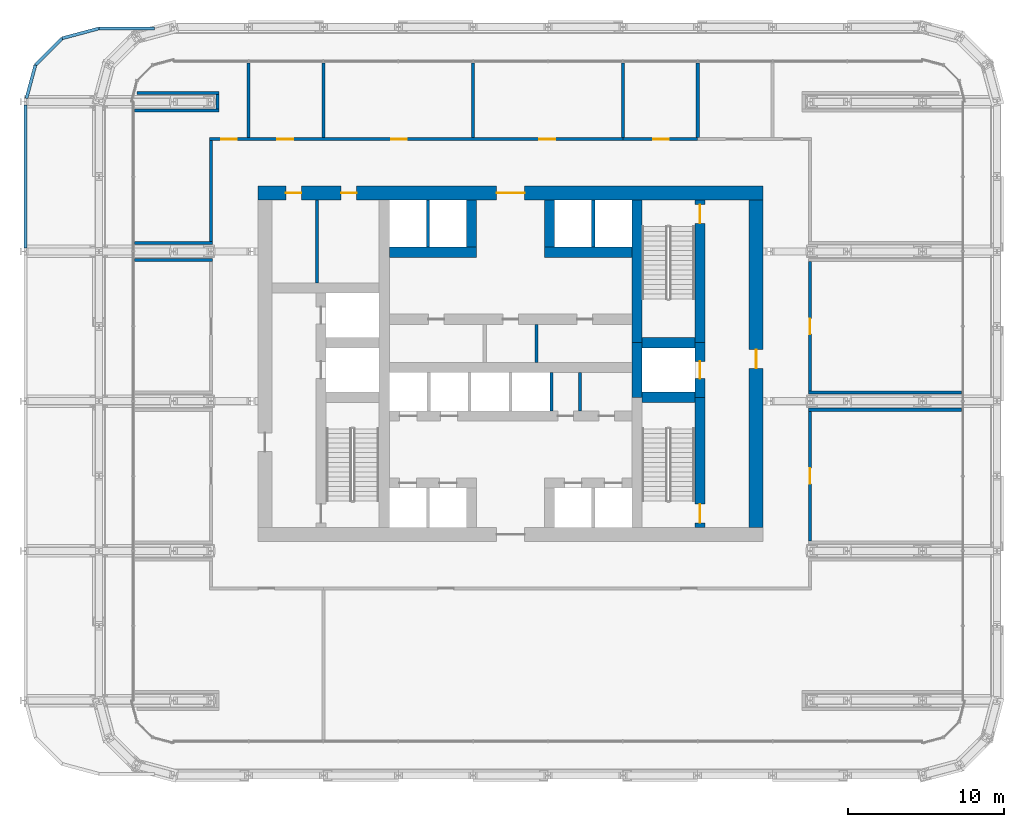
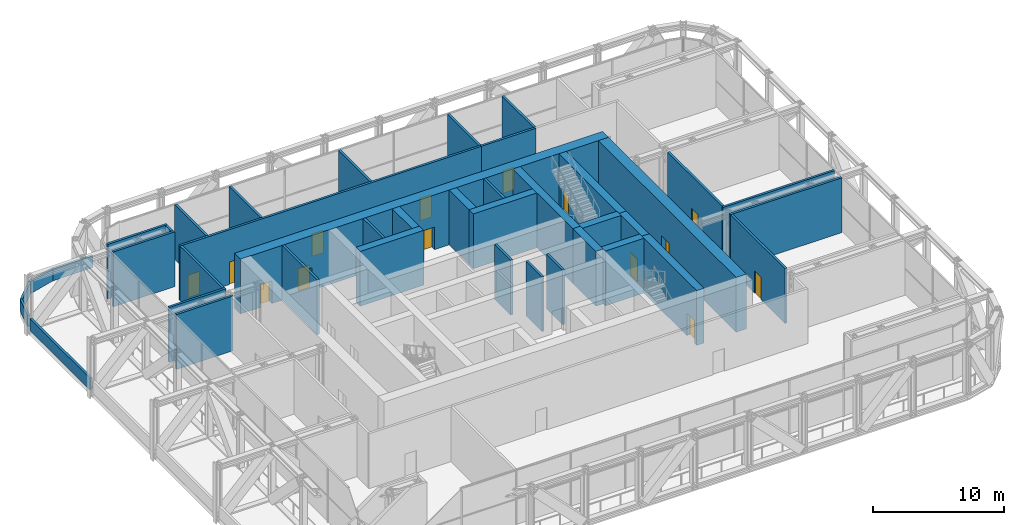
# One storey, part 21 of 30: 41 walls, 14 doors, 14 openings.
"""IFC4 building model written with IfcOpenShell, lengths in metres."""

from ifc_helpers import new_model, si_unit, direction, frame, frame_2d, origin, place, context, subcontext, project, spatial, rectangle, extrude, material, layer, layer_set, type_object, element, fill, save


model = new_model("IFC4")

# Units and contexts
model_context = context("Model", 3, precision=1e-05, world=origin(), true_north=direction((0.0, 1.0)))
body_context = subcontext(model_context, "Body", "Model", "MODEL_VIEW")
ifc_project = project(units=[si_unit("LENGTHUNIT", "METRE"), si_unit("AREAUNIT", "SQUARE_METRE"), si_unit("VOLUMEUNIT", "CUBIC_METRE"), si_unit("PLANEANGLEUNIT", "RADIAN"), si_unit("MASSUNIT", "GRAM", prefix="KILO")], contexts=[model_context])

# Site, building, storey
site_placement = place(None, origin())
site = spatial("IfcSite", under=ifc_project, at=site_placement, CompositionType="ELEMENT")
building_placement = place(site_placement, origin())
building = spatial("IfcBuilding", under=site, at=building_placement, Name="Madar Terraces", CompositionType="ELEMENT")
storey_placement = place(building_placement, frame((0.0, 0.0, 53.89990234375)))
storey = spatial("IfcBuildingStorey", under=building, at=storey_placement, Name="L13", CompositionType="ELEMENT", Elevation=53.89990234375)

# Walls
ifc_material_1 = material(Name="Concrete C80/95", Category="concrete")
ifc_layer_1 = layer(ifc_material_1, 0.64990234375)
ifc_layer_set_1 = layer_set([ifc_layer_1], Name="Concrete C80/95 (CIW2 RC wall 650)")
wall_type_1 = type_object("IfcWallType", Name="CIW2 RC wall 650", PredefinedType="SHEAR", material=ifc_layer_set_1)
wall_1_placement = place(storey_placement, frame((39.300048828125, 24.25, 0.0), z_axis=(0.0, 0.0, 1.0), x_axis=(0.0, 1.0, 0.0)))
element("IfcWall", 1, at=wall_1_placement, inside=storey, type_object=wall_type_1, Name="CORE SHAFT WALL", PredefinedType="SHEAR", context=body_context, shape_type="SweptSolid", body=[
    extrude(rectangle(XDim=3.5, YDim=0.64990234375, at=frame_2d((1.75, 0.0))), origin(), (0.0, 0.0, 1.0), 5.10009765625),
])
wall_2_placement = place(storey_placement, frame((39.300048828125, 27.75, 0.0), z_axis=(0.0, 0.0, 1.0), x_axis=(0.0, 1.0, 0.0)))
element("IfcWall", 2, at=wall_2_placement, inside=storey, type_object=wall_type_1, Name="CORE SHAFT WALL", PredefinedType="SHEAR", context=body_context, shape_type="SweptSolid", body=[
    extrude(rectangle(XDim=9.14990234375, YDim=0.64990234375, at=frame_2d((4.574951171875, 0.0))), origin(), (0.0, 0.0, 1.0), 5.10009765625),
])

# Wall, opening, door
wall_3_placement = place(storey_placement, frame((43.35009765625, 15.89990234375, 0.0), z_axis=(0.0, 0.0, 1.0), x_axis=(0.0, 1.0, 0.0)))
wall_3 = element("IfcWall", 3, at=wall_3_placement, inside=storey, type_object=wall_type_1, Name="CORE SHAFT WALL", PredefinedType="SHEAR", context=body_context, shape_type="SweptSolid", body=[
    extrude(rectangle(XDim=8.35009765625, YDim=0.64990234375, at=frame_2d((4.175048828125, 0.0))), origin(), (0.0, 0.0, 1.0), 5.10009765625),
])
opening_1_placement = place(wall_3_placement, frame((0.300048828125, 0.0, 0.0)))
opening_1 = element("IfcOpeningElement", 4, at=opening_1_placement, cuts=wall_3, Name="Opening SD1", PredefinedType="OPENING", context=body_context, shape_type="SweptSolid", body=[
    extrude(rectangle(XDim=1.199951171875, YDim=2.10009765625, at=frame_2d((0.60009765625, 1.050048828125))), frame((0.0, 0.3349609375, 0.0), z_axis=(0.0, -1.0, 0.0), x_axis=(1.0, 0.0, 0.0)), (0.0, 0.0, 1.0), 0.669921875),
])
ifc_material_2 = material(Name="Steel door leaf", Category="steel")
door_type_1 = type_object("IfcDoorType", Name="Stair door 1200 x 2100", OperationType="NOTDEFINED", PredefinedType="DOOR", material=ifc_material_2)
door_1_placement = place(opening_1_placement, origin())
door_1 = element("IfcDoor", 5, at=door_1_placement, inside=storey, type_object=door_type_1, Name="STAIR DOOR", OperationType="SINGLE_SWING_RIGHT", OverallHeight=2.10009765625, OverallWidth=1.199951171875, PredefinedType="DOOR", context=body_context, shape_type="SweptSolid", body=[
    extrude(rectangle(XDim=1.199951171875, YDim=2.10009765625, at=frame_2d((0.60009765625, 1.050048828125))), frame((0.0, 0.02490234375, 0.0), z_axis=(0.0, -1.0, 0.0), x_axis=(1.0, 0.0, 0.0)), (0.0, 0.0, 1.0), 0.050048828125),
])
fill(opening_1, door_1)

wall_4_placement = place(storey_placement, frame((43.35009765625, 24.25, 0.0), z_axis=(0.0, 0.0, 1.0), x_axis=(0.0, 1.0, 0.0)))
wall_4 = element("IfcWall", 6, at=wall_4_placement, inside=storey, type_object=wall_type_1, Name="CORE SHAFT WALL", PredefinedType="SHEAR", context=body_context, shape_type="SweptSolid", body=[
    extrude(rectangle(XDim=3.5, YDim=0.64990234375, at=frame_2d((1.75, 0.0))), origin(), (0.0, 0.0, 1.0), 5.10009765625),
])
opening_2_placement = place(wall_4_placement, frame((1.199951171875, 0.0, 0.0)))
opening_2 = element("IfcOpeningElement", 7, at=opening_2_placement, cuts=wall_4, Name="Opening LD", PredefinedType="OPENING", context=body_context, shape_type="SweptSolid", body=[
    extrude(rectangle(XDim=1.10009765625, YDim=2.10009765625, at=frame_2d((0.550048828125, 1.050048828125))), frame((0.0, 0.3349609375, 0.0), z_axis=(0.0, -1.0, 0.0), x_axis=(1.0, 0.0, 0.0)), (0.0, 0.0, 1.0), 0.669921875),
])
ifc_material_3 = material(Name="Stainless steel panel", Category="steel")
door_type_2 = type_object("IfcDoorType", Name="Lift landing door 1100 x 2100", OperationType="DOUBLE_DOOR_SLIDING", PredefinedType="DOOR", material=ifc_material_3)
door_2_placement = place(opening_2_placement, origin())
door_2 = element("IfcDoor", 8, at=door_2_placement, inside=storey, type_object=door_type_2, Name="LIFT LANDING DOOR", OperationType="DOUBLE_DOOR_SLIDING", OverallHeight=2.10009765625, OverallWidth=1.10009765625, PredefinedType="DOOR", context=body_context, shape_type="SweptSolid", body=[
    extrude(rectangle(XDim=1.10009765625, YDim=2.10009765625, at=frame_2d((0.550048828125, 1.050048828125))), frame((0.0, 0.02490234375, 0.0), z_axis=(0.0, -1.0, 0.0), x_axis=(1.0, 0.0, 0.0)), (0.0, 0.0, 1.0), 0.050048828125),
])
fill(opening_2, door_2)

wall_5_placement = place(storey_placement, frame((43.35009765625, 27.75, 0.0), z_axis=(0.0, 0.0, 1.0), x_axis=(0.0, 1.0, 0.0)))
wall_5 = element("IfcWall", 9, at=wall_5_placement, inside=storey, type_object=wall_type_1, Name="CORE SHAFT WALL", PredefinedType="SHEAR", context=body_context, shape_type="SweptSolid", body=[
    extrude(rectangle(XDim=9.14990234375, YDim=0.64990234375, at=frame_2d((4.574951171875, 0.0))), origin(), (0.0, 0.0, 1.0), 5.10009765625),
])
opening_3_placement = place(wall_5_placement, frame((7.64990234375, 0.0, 0.0)))
opening_3 = element("IfcOpeningElement", 10, at=opening_3_placement, cuts=wall_5, Name="Opening SD1", PredefinedType="OPENING", context=body_context, shape_type="SweptSolid", body=[
    extrude(rectangle(XDim=1.199951171875, YDim=2.10009765625, at=frame_2d((0.60009765625, 1.050048828125))), frame((0.0, 0.3349609375, 0.0), z_axis=(0.0, -1.0, 0.0), x_axis=(1.0, 0.0, 0.0)), (0.0, 0.0, 1.0), 0.669921875),
])
door_3_placement = place(opening_3_placement, origin())
door_3 = element("IfcDoor", 11, at=door_3_placement, inside=storey, type_object=door_type_1, Name="STAIR DOOR", OperationType="SINGLE_SWING_LEFT", OverallHeight=2.10009765625, OverallWidth=1.199951171875, PredefinedType="DOOR", context=body_context, shape_type="SweptSolid", body=[
    extrude(rectangle(XDim=1.199951171875, YDim=2.10009765625, at=frame_2d((0.60009765625, 1.050048828125))), frame((0.0, 0.02490234375, 0.0), z_axis=(0.0, -1.0, 0.0), x_axis=(1.0, 0.0, 0.0)), (0.0, 0.0, 1.0), 0.050048828125),
])
fill(opening_3, door_3)

# Walls
for number, where, z_axis, x_axis, name in (
    (12, (39.625, 24.25, 0.0), (0.0, 0.0, 1.0), (1.0, 0.0, 0.0), "CORE SHAFT WALL"),
    (13, (39.625, 27.75, 0.0), (0.0, 0.0, 1.0), (1.0, 0.0, 0.0), "CORE SHAFT WALL"),
):
    element("IfcWall", number, at=place(storey_placement, frame(where, z_axis=z_axis, x_axis=x_axis)), inside=storey, type_object=wall_type_1, Name=name, PredefinedType="SHEAR", context=body_context, shape_type="SweptSolid", body=[
        extrude(rectangle(XDim=3.39990234375, YDim=0.64990234375, at=frame_2d((1.699951171875, 0.0))), origin(), (0.0, 0.0, 1.0), 5.10009765625),
    ])
wall_6_placement = place(storey_placement, frame((23.425048828125, 33.550048828125, 0.0), z_axis=(0.0, 0.0, 1.0), x_axis=(1.0, 0.0, 0.0)))
element("IfcWall", 14, at=wall_6_placement, inside=storey, type_object=wall_type_1, Name="CORE SHAFT WALL", PredefinedType="SHEAR", context=body_context, shape_type="SweptSolid", body=[
    extrude(rectangle(XDim=5.599853515625, YDim=0.64990234375, at=frame_2d((2.7998046875, 0.0))), origin(), (0.0, 0.0, 1.0), 5.10009765625),
])
wall_7_placement = place(storey_placement, frame((33.375, 33.550048828125, 0.0), z_axis=(0.0, 0.0, 1.0), x_axis=(1.0, 0.0, 0.0)))
element("IfcWall", 15, at=wall_7_placement, inside=storey, type_object=wall_type_1, Name="CORE SHAFT WALL", PredefinedType="SHEAR", context=body_context, shape_type="SweptSolid", body=[
    extrude(rectangle(XDim=5.60009765625, YDim=0.64990234375, at=frame_2d((2.800048828125, 0.0))), origin(), (0.0, 0.0, 1.0), 5.10009765625),
])
for number, where, z_axis, x_axis, name in (
    (16, (28.699951171875, 33.875, 0.0), (0.0, 0.0, 1.0), (0.0, 1.0, 0.0), "CORE SHAFT WALL"),
    (17, (33.699951171875, 33.875, 0.0), (0.0, 0.0, 1.0), (0.0, 1.0, 0.0), "CORE SHAFT WALL"),
):
    element("IfcWall", number, at=place(storey_placement, frame(where, z_axis=z_axis, x_axis=x_axis)), inside=storey, type_object=wall_type_1, Name=name, PredefinedType="SHEAR", context=body_context, shape_type="SweptSolid", body=[
        extrude(rectangle(XDim=3.02490234375, YDim=0.64990234375, at=frame_2d((1.512451171875, 0.0))), origin(), (0.0, 0.0, 1.0), 5.10009765625),
    ])

# Wall, openings, doors
ifc_material_4 = material(Name="Concrete C80/95", Category="concrete")
ifc_layer_2 = layer(ifc_material_4, 0.89990234375)
ifc_layer_set_2 = layer_set([ifc_layer_2], Name="Concrete C80/95 (CRW2 RC wall 900)")
wall_type_2 = type_object("IfcWallType", Name="CRW2 RC wall 900", PredefinedType="SHEAR", material=ifc_layer_set_2)
wall_8_placement = place(storey_placement, frame((15.0, 37.35009765625, 0.0), z_axis=(0.0, 0.0, 1.0), x_axis=(1.0, 0.0, 0.0)))
wall_8 = element("IfcWall", 18, at=wall_8_placement, inside=storey, type_object=wall_type_2, Name="CORE OUTER WALL", PredefinedType="SHEAR", context=body_context, shape_type="SweptSolid", body=[
    extrude(rectangle(XDim=32.39990234375, YDim=0.89990234375, at=frame_2d((16.199951171875, 0.0))), origin(), (0.0, 0.0, 1.0), 5.10009765625),
])
opening_4_placement = place(wall_8_placement, frame((15.300048828125, 0.0, 0.0)))
opening_4 = element("IfcOpeningElement", 19, at=opening_4_placement, cuts=wall_8, Name="Opening KD1", PredefinedType="OPENING", context=body_context, shape_type="SweptSolid", body=[
    extrude(rectangle(XDim=1.800048828125, YDim=2.10009765625, at=frame_2d((0.89990234375, 1.050048828125))), frame((0.0, 0.4599609375, 0.0), z_axis=(0.0, -1.0, 0.0), x_axis=(1.0, 0.0, 0.0)), (0.0, 0.0, 1.0), 0.919921875),
])
opening_5_placement = place(wall_8_placement, frame((1.793701171875, 0.0, 0.0)))
opening_5 = element("IfcOpeningElement", 20, at=opening_5_placement, cuts=wall_8, Name="Opening KD2", PredefinedType="OPENING", context=body_context, shape_type="SweptSolid", body=[
    extrude(rectangle(XDim=1.0, YDim=2.10009765625, at=frame_2d((0.5, 1.050048828125))), frame((0.0, 0.4599609375, 0.0), z_axis=(0.0, -1.0, 0.0), x_axis=(1.0, 0.0, 0.0)), (0.0, 0.0, 1.0), 0.919921875),
])
opening_6_placement = place(wall_8_placement, frame((5.331298828125, 0.0, 0.0)))
opening_6 = element("IfcOpeningElement", 21, at=opening_6_placement, cuts=wall_8, Name="Opening KD2", PredefinedType="OPENING", context=body_context, shape_type="SweptSolid", body=[
    extrude(rectangle(XDim=1.0, YDim=2.10009765625, at=frame_2d((0.5, 1.050048828125))), frame((0.0, 0.4599609375, 0.0), z_axis=(0.0, -1.0, 0.0), x_axis=(1.0, 0.0, 0.0)), (0.0, 0.0, 1.0), 0.919921875),
])
ifc_material_5 = material(Name="Steel door leaf", Category="steel")
door_type_3 = type_object("IfcDoorType", Name="Lobby door pair 1800 x 2100", OperationType="DOUBLE_DOOR_SINGLE_SWING", PredefinedType="DOOR", material=ifc_material_5)
door_4_placement = place(opening_4_placement, origin())
door_4 = element("IfcDoor", 22, at=door_4_placement, inside=storey, type_object=door_type_3, Name="LIFT LOBBY DOOR", OperationType="DOUBLE_DOOR_SINGLE_SWING", OverallHeight=2.10009765625, OverallWidth=1.800048828125, PredefinedType="DOOR", context=body_context, shape_type="SweptSolid", body=[
    extrude(rectangle(XDim=1.800048828125, YDim=2.10009765625, at=frame_2d((0.89990234375, 1.050048828125))), frame((0.0, 0.02490234375, 0.0), z_axis=(0.0, -1.0, 0.0), x_axis=(1.0, 0.0, 0.0)), (0.0, 0.0, 1.0), 0.050048828125),
])
fill(opening_4, door_4)
ifc_material_6 = material(Name="Steel door leaf", Category="steel")
door_type_4 = type_object("IfcDoorType", Name="Service room door 1000 x 2100", OperationType="NOTDEFINED", PredefinedType="DOOR", material=ifc_material_6)
door_5_placement = place(opening_5_placement, origin())
door_5 = element("IfcDoor", 23, at=door_5_placement, inside=storey, type_object=door_type_4, Name="SERVICE ROOM DOOR", OperationType="SINGLE_SWING_RIGHT", OverallHeight=2.10009765625, OverallWidth=1.0, PredefinedType="DOOR", context=body_context, shape_type="SweptSolid", body=[
    extrude(rectangle(XDim=1.0, YDim=2.10009765625, at=frame_2d((0.5, 1.050048828125))), frame((0.0, 0.02490234375, 0.0), z_axis=(0.0, -1.0, 0.0), x_axis=(1.0, 0.0, 0.0)), (0.0, 0.0, 1.0), 0.050048828125),
])
fill(opening_5, door_5)
door_6_placement = place(opening_6_placement, origin())
door_6 = element("IfcDoor", 24, at=door_6_placement, inside=storey, type_object=door_type_4, Name="SERVICE ROOM DOOR", OperationType="SINGLE_SWING_LEFT", OverallHeight=2.10009765625, OverallWidth=1.0, PredefinedType="DOOR", context=body_context, shape_type="SweptSolid", body=[
    extrude(rectangle(XDim=1.0, YDim=2.10009765625, at=frame_2d((0.5, 1.050048828125))), frame((0.0, 0.02490234375, 0.0), z_axis=(0.0, -1.0, 0.0), x_axis=(1.0, 0.0, 0.0)), (0.0, 0.0, 1.0), 0.050048828125),
])
fill(opening_6, door_6)

# Wall, opening, door
wall_9_placement = place(storey_placement, frame((46.949951171875, 15.89990234375, 0.0), z_axis=(0.0, 0.0, 1.0), x_axis=(0.0, 1.0, 0.0)))
wall_9 = element("IfcWall", 25, at=wall_9_placement, inside=storey, type_object=wall_type_2, Name="CORE OUTER WALL", PredefinedType="SHEAR", context=body_context, shape_type="SweptSolid", body=[
    extrude(rectangle(XDim=21.0, YDim=0.89990234375, at=frame_2d((10.5, 0.0))), origin(), (0.0, 0.0, 1.0), 5.10009765625),
])
opening_7_placement = place(wall_9_placement, frame((10.199951171875, 0.0, 0.0)))
opening_7 = element("IfcOpeningElement", 26, at=opening_7_placement, cuts=wall_9, Name="Opening SD1", PredefinedType="OPENING", context=body_context, shape_type="SweptSolid", body=[
    extrude(rectangle(XDim=1.199951171875, YDim=2.10009765625, at=frame_2d((0.60009765625, 1.050048828125))), frame((0.0, 0.4599609375, 0.0), z_axis=(0.0, -1.0, 0.0), x_axis=(1.0, 0.0, 0.0)), (0.0, 0.0, 1.0), 0.919921875),
])
door_7_placement = place(opening_7_placement, origin())
door_7 = element("IfcDoor", 27, at=door_7_placement, inside=storey, type_object=door_type_1, Name="STAIR DOOR", OperationType="SINGLE_SWING_LEFT", OverallHeight=2.10009765625, OverallWidth=1.199951171875, PredefinedType="DOOR", context=body_context, shape_type="SweptSolid", body=[
    extrude(rectangle(XDim=1.199951171875, YDim=2.10009765625, at=frame_2d((0.60009765625, 1.050048828125))), frame((0.0, 0.02490234375, 0.0), z_axis=(0.0, -1.0, 0.0), x_axis=(1.0, 0.0, 0.0)), (0.0, 0.0, 1.0), 0.050048828125),
])
fill(opening_7, door_7)

# Walls
ifc_material_7 = material(Name="Masonry blockwork", Category="masonry")
ifc_layer_3 = layer(ifc_material_7, 0.199951171875)
ifc_layer_set_3 = layer_set([ifc_layer_3], Name="Core partition 200 blockwork")
wall_type_3 = type_object("IfcWallType", Name="Core partition 200 blockwork", PredefinedType="PARTITIONING", material=ifc_layer_set_3)
wall_10_placement = place(storey_placement, frame((18.78759765625, 31.574951171875, 0.0), z_axis=(0.0, 0.0, 1.0), x_axis=(0.0, 1.0, 0.0)))
element("IfcWall", 28, at=wall_10_placement, inside=storey, type_object=wall_type_3, Name="SERVICE ROOM PARTITION", PredefinedType="PARTITIONING", context=body_context, shape_type="SweptSolid", body=[
    extrude(rectangle(XDim=5.324951171875, YDim=0.199951171875, at=frame_2d((2.66259765625, 0.0))), origin(), (0.0, 0.0, 1.0), 5.10009765625),
])
for number, where, z_axis, x_axis, name in (
    (29, (35.64208984375, 23.375, 0.0), (0.0, 0.0, 1.0), (0.0, 1.0, 0.0), "SERVICE ROOM PARTITION"),
    (30, (32.858642578125, 26.47509765625, 0.0), (0.0, 0.0, 1.0), (0.0, 1.0, 0.0), "SERVICE ROOM PARTITION"),
):
    element("IfcWall", number, at=place(storey_placement, frame(where, z_axis=z_axis, x_axis=x_axis)), inside=storey, type_object=wall_type_3, Name=name, PredefinedType="PARTITIONING", context=body_context, shape_type="SweptSolid", body=[
        extrude(rectangle(XDim=2.449951171875, YDim=0.199951171875, at=frame_2d((1.22509765625, 0.0))), origin(), (0.0, 0.0, 1.0), 5.10009765625),
    ])
ifc_material_8 = material(Name="Concrete C40/50", Category="concrete")
ifc_layer_4 = layer(ifc_material_8, 0.199951171875)
ifc_layer_set_4 = layer_set([ifc_layer_4], Name="Core shaft dividing wall 200 C40/50")
wall_type_4 = type_object("IfcWallType", Name="Core shaft dividing wall 200 C40/50", PredefinedType="SOLIDWALL", material=ifc_layer_set_4)
wall_11_placement = place(storey_placement, frame((33.824951171875, 23.375, 0.0), z_axis=(0.0, 0.0, 1.0), x_axis=(0.0, 1.0, 0.0)))
element("IfcWall", 31, at=wall_11_placement, inside=storey, type_object=wall_type_4, Name="SHAFT DIVIDING WALL", PredefinedType="SOLIDWALL", context=body_context, shape_type="SweptSolid", body=[
    extrude(rectangle(XDim=2.449951171875, YDim=0.199951171875, at=frame_2d((1.22509765625, 0.0))), origin(), (0.0, 0.0, 1.0), 5.10009765625),
])
for number, where, z_axis, x_axis, name in (
    (32, (25.89990234375, 33.875, 0.0), (0.0, 0.0, 1.0), (0.0, 1.0, 0.0), "SHAFT DIVIDING WALL"),
    (33, (36.5, 33.875, 0.0), (0.0, 0.0, 1.0), (0.0, 1.0, 0.0), "SHAFT DIVIDING WALL"),
):
    element("IfcWall", number, at=place(storey_placement, frame(where, z_axis=z_axis, x_axis=x_axis)), inside=storey, type_object=wall_type_4, Name=name, PredefinedType="SOLIDWALL", context=body_context, shape_type="SweptSolid", body=[
        extrude(rectangle(XDim=3.02490234375, YDim=0.199951171875, at=frame_2d((1.512451171875, 0.0))), origin(), (0.0, 0.0, 1.0), 5.10009765625),
    ])
ifc_material_9 = material(Name="Blockwork", Category="masonry")
ifc_layer_5 = layer(ifc_material_9, 0.199951171875)
ifc_layer_set_5 = layer_set([ifc_layer_5], Name="Partition 200 EI 120")
wall_type_5 = type_object("IfcWallType", Name="Partition 200 EI 120", PredefinedType="PARTITIONING", material=ifc_layer_set_5)
for number, where, z_axis, x_axis, name in (
    (34, (50.300048828125, 23.449951171875, 0.0), (0.0, 0.0, 1.0), (1.0, 0.0, 0.0), "Wall CHILLER PLANT ROOM / TRUSS SLOT"),
    (35, (50.300048828125, 24.550048828125, 0.0), (0.0, 0.0, 1.0), (1.0, 0.0, 0.0), "Wall SPRINKLER TANK ROOM / TRUSS SLOT"),
):
    element("IfcWall", number, at=place(storey_placement, frame(where, z_axis=z_axis, x_axis=x_axis)), inside=storey, type_object=wall_type_5, Name=name, PredefinedType="PARTITIONING", context=body_context, shape_type="SweptSolid", body=[
        extrude(rectangle(XDim=9.800048828125, YDim=0.199951171875, at=frame_2d((4.89990234375, 0.0))), origin(), (0.0, 0.0, 1.0), 5.10009765625),
    ])
for number, where, z_axis, x_axis, name in (
    (36, (7.10009765625, 33.050048828125, 0.0), (0.0, 0.0, 1.0), (1.0, 0.0, 0.0), "Wall STORE PLANT ROOM / TRUSS SLOT"),
    (37, (7.10009765625, 34.14990234375, 0.0), (0.0, 0.0, 1.0), (1.0, 0.0, 0.0), "Wall FIRE PUMP PLANT ROOM / TRUSS SLOT"),
):
    element("IfcWall", number, at=place(storey_placement, frame(where, z_axis=z_axis, x_axis=x_axis)), inside=storey, type_object=wall_type_5, Name=name, PredefinedType="PARTITIONING", context=body_context, shape_type="SweptSolid", body=[
        extrude(rectangle(XDim=5.0, YDim=0.199951171875, at=frame_2d((2.5, 0.0))), origin(), (0.0, 0.0, 1.0), 5.10009765625),
    ])

# Wall, openings, doors
wall_12_placement = place(storey_placement, frame((11.89990234375, 40.800048828125, 0.0), z_axis=(0.0, 0.0, 1.0), x_axis=(1.0, 0.0, 0.0)))
wall_12 = element("IfcWall", 38, at=wall_12_placement, inside=storey, type_object=wall_type_5, Name="Wall AIR HANDLING PLANT ROOM + FIRE PUMP PLANT ROOM", PredefinedType="PARTITIONING", context=body_context, shape_type="SweptSolid", body=[
    extrude(rectangle(XDim=26.5, YDim=0.199951171875, at=frame_2d((13.25, 0.0))), origin(), (0.0, 0.0, 1.0), 5.10009765625),
])
opening_8_placement = place(wall_12_placement, frame((0.75, 0.0, 0.0)))
opening_8 = element("IfcOpeningElement", 39, at=opening_8_placement, cuts=wall_12, Name="Opening D33", PredefinedType="OPENING", context=body_context, shape_type="SweptSolid", body=[
    extrude(rectangle(XDim=1.0, YDim=2.10009765625, at=frame_2d((0.5, 1.050048828125))), frame((0.0, 0.10986328125, 0.0), z_axis=(0.0, -1.0, 0.0), x_axis=(1.0, 0.0, 0.0)), (0.0, 0.0, 1.0), 0.219970703125),
])
opening_9_placement = place(wall_12_placement, frame((4.35009765625, 0.0, 0.0)))
opening_9 = element("IfcOpeningElement", 40, at=opening_9_placement, cuts=wall_12, Name="Opening D33", PredefinedType="OPENING", context=body_context, shape_type="SweptSolid", body=[
    extrude(rectangle(XDim=1.0, YDim=2.10009765625, at=frame_2d((0.5, 1.050048828125))), frame((0.0, 0.10986328125, 0.0), z_axis=(0.0, -1.0, 0.0), x_axis=(1.0, 0.0, 0.0)), (0.0, 0.0, 1.0), 0.219970703125),
])
opening_10_placement = place(wall_12_placement, frame((11.64990234375, 0.0, 0.0)))
opening_10 = element("IfcOpeningElement", 41, at=opening_10_placement, cuts=wall_12, Name="Opening D33", PredefinedType="OPENING", context=body_context, shape_type="SweptSolid", body=[
    extrude(rectangle(XDim=1.0, YDim=2.10009765625, at=frame_2d((0.5, 1.050048828125))), frame((0.0, 0.10986328125, 0.0), z_axis=(0.0, -1.0, 0.0), x_axis=(1.0, 0.0, 0.0)), (0.0, 0.0, 1.0), 0.219970703125),
])
opening_11_placement = place(wall_12_placement, frame((21.14990234375, 0.0, 0.0)))
opening_11 = element("IfcOpeningElement", 42, at=opening_11_placement, cuts=wall_12, Name="Opening D33", PredefinedType="OPENING", context=body_context, shape_type="SweptSolid", body=[
    extrude(rectangle(XDim=1.0, YDim=2.10009765625, at=frame_2d((0.5, 1.050048828125))), frame((0.0, 0.10986328125, 0.0), z_axis=(0.0, -1.0, 0.0), x_axis=(1.0, 0.0, 0.0)), (0.0, 0.0, 1.0), 0.219970703125),
])
ifc_material_10 = material(Name="Timber door leaf, fire-rated", Category="wood")
door_type_5 = type_object("IfcDoorType", Name="Podium door 1000 x 2100 FD90S", OperationType="NOTDEFINED", PredefinedType="DOOR", material=ifc_material_10)
door_8_placement = place(opening_8_placement, origin())
door_8 = element("IfcDoor", 43, at=door_8_placement, inside=storey, type_object=door_type_5, Name="Door FIRE PUMP PLANT ROOM / RING CORRIDOR", OperationType="SINGLE_SWING_LEFT", OverallHeight=2.10009765625, OverallWidth=1.0, PredefinedType="DOOR", context=body_context, shape_type="SweptSolid", body=[
    extrude(rectangle(XDim=1.0, YDim=2.10009765625, at=frame_2d((0.5, 1.050048828125))), frame((0.0, 0.02490234375, 0.0), z_axis=(0.0, -1.0, 0.0), x_axis=(1.0, 0.0, 0.0)), (0.0, 0.0, 1.0), 0.050048828125),
])
fill(opening_8, door_8)
door_9_placement = place(opening_9_placement, origin())
door_9 = element("IfcDoor", 44, at=door_9_placement, inside=storey, type_object=door_type_5, Name="Door VENTILATION PLANT ROOM / RING CORRIDOR", OperationType="SINGLE_SWING_LEFT", OverallHeight=2.10009765625, OverallWidth=1.0, PredefinedType="DOOR", context=body_context, shape_type="SweptSolid", body=[
    extrude(rectangle(XDim=1.0, YDim=2.10009765625, at=frame_2d((0.5, 1.050048828125))), frame((0.0, 0.02490234375, 0.0), z_axis=(0.0, -1.0, 0.0), x_axis=(1.0, 0.0, 0.0)), (0.0, 0.0, 1.0), 0.050048828125),
])
fill(opening_9, door_9)
door_10_placement = place(opening_10_placement, origin())
door_10 = element("IfcDoor", 45, at=door_10_placement, inside=storey, type_object=door_type_5, Name="Door AIR HANDLING PLANT ROOM / RING CORRIDOR", OperationType="SINGLE_SWING_RIGHT", OverallHeight=2.10009765625, OverallWidth=1.0, PredefinedType="DOOR", context=body_context, shape_type="SweptSolid", body=[
    extrude(rectangle(XDim=1.0, YDim=2.10009765625, at=frame_2d((0.5, 1.050048828125))), frame((0.0, 0.02490234375, 0.0), z_axis=(0.0, -1.0, 0.0), x_axis=(1.0, 0.0, 0.0)), (0.0, 0.0, 1.0), 0.050048828125),
])
fill(opening_10, door_10)
door_11_placement = place(opening_11_placement, origin())
door_11 = element("IfcDoor", 46, at=door_11_placement, inside=storey, type_object=door_type_5, Name="Door TRANSFER PUMP PLANT ROOM / RING CORRIDOR", OperationType="SINGLE_SWING_LEFT", OverallHeight=2.10009765625, OverallWidth=1.0, PredefinedType="DOOR", context=body_context, shape_type="SweptSolid", body=[
    extrude(rectangle(XDim=1.0, YDim=2.10009765625, at=frame_2d((0.5, 1.050048828125))), frame((0.0, 0.02490234375, 0.0), z_axis=(0.0, -1.0, 0.0), x_axis=(1.0, 0.0, 0.0)), (0.0, 0.0, 1.0), 0.050048828125),
])
fill(opening_11, door_11)

# Walls
wall_13_placement = place(storey_placement, frame((7.10009765625, 42.64990234375, 0.0), z_axis=(0.0, 0.0, 1.0), x_axis=(1.0, 0.0, 0.0)))
element("IfcWall", 47, at=wall_13_placement, inside=storey, type_object=wall_type_5, Name="Wall FIRE PUMP PLANT ROOM / TRUSS SLOT", PredefinedType="PARTITIONING", context=body_context, shape_type="SweptSolid", body=[
    extrude(rectangle(XDim=5.39990234375, YDim=0.199951171875, at=frame_2d((2.699951171875, 0.0))), origin(), (0.0, 0.0, 1.0), 5.10009765625),
])
wall_14_placement = place(storey_placement, frame((7.25, 43.75, 0.0), z_axis=(0.0, 0.0, 1.0), x_axis=(1.0, 0.0, 0.0)))
element("IfcWall", 48, at=wall_14_placement, inside=storey, type_object=wall_type_5, Name="Wall FIRE PUMP PLANT ROOM / TRUSS SLOT", PredefinedType="PARTITIONING", context=body_context, shape_type="SweptSolid", body=[
    extrude(rectangle(XDim=5.25, YDim=0.199951171875, at=frame_2d((2.625, 0.0))), origin(), (0.0, 0.0, 1.0), 5.10009765625),
])
wall_15_placement = place(storey_placement, frame((12.0, 34.25, 0.0), z_axis=(0.0, 0.0, 1.0), x_axis=(0.0, 1.0, 0.0)))
element("IfcWall", 49, at=wall_15_placement, inside=storey, type_object=wall_type_5, Name="Wall FIRE PUMP PLANT ROOM / RING CORRIDOR", PredefinedType="PARTITIONING", context=body_context, shape_type="SweptSolid", body=[
    extrude(rectangle(XDim=6.449951171875, YDim=0.199951171875, at=frame_2d((3.22509765625, 0.0))), origin(), (0.0, 0.0, 1.0), 5.10009765625),
])
wall_16_placement = place(storey_placement, frame((12.39990234375, 42.75, 0.0), z_axis=(0.0, 0.0, 1.0), x_axis=(0.0, 1.0, 0.0)))
element("IfcWall", 50, at=wall_16_placement, inside=storey, type_object=wall_type_5, Name="Wall FIRE PUMP PLANT ROOM / TRUSS SLOT", PredefinedType="PARTITIONING", context=body_context, shape_type="SweptSolid", body=[
    extrude(rectangle(XDim=0.89990234375, YDim=0.199951171875, at=frame_2d((0.449951171875, 0.0))), origin(), (0.0, 0.0, 1.0), 5.10009765625),
])
for number, where, z_axis, x_axis, name in (
    (51, (14.39990234375, 40.89990234375, 0.0), (0.0, 0.0, 1.0), (0.0, 1.0, 0.0), "Wall FIRE PUMP PLANT ROOM / VENTILATION PLANT ROOM"),
    (52, (19.199951171875, 40.89990234375, 0.0), (0.0, 0.0, 1.0), (0.0, 1.0, 0.0), "Wall VENTILATION PLANT ROOM / AIR HANDLING PLANT ROOM"),
    (53, (28.800048828125, 40.89990234375, 0.0), (0.0, 0.0, 1.0), (0.0, 1.0, 0.0), "Wall AIR HANDLING PLANT ROOM / TRANSFER PUMP PLANT ROOM"),
    (54, (38.39990234375, 40.89990234375, 0.0), (0.0, 0.0, 1.0), (0.0, 1.0, 0.0), "Wall TRANSFER PUMP PLANT ROOM / ACCESSIBLE WC"),
    (55, (43.199951171875, 40.89990234375, 0.0), (0.0, 0.0, 1.0), (0.0, 1.0, 0.0), "Wall ACCESSIBLE WC / STORE PLANT ROOM"),
):
    element("IfcWall", number, at=place(storey_placement, frame(where, z_axis=z_axis, x_axis=x_axis)), inside=storey, type_object=wall_type_5, Name=name, PredefinedType="PARTITIONING", context=body_context, shape_type="SweptSolid", body=[
        extrude(rectangle(XDim=4.800048828125, YDim=0.199951171875, at=frame_2d((2.39990234375, 0.0))), origin(), (0.0, 0.0, 1.0), 5.10009765625),
    ])

# Wall, opening, door
wall_17_placement = place(storey_placement, frame((50.39990234375, 23.35009765625, 0.0), z_axis=(0.0, 0.0, 1.0), x_axis=(0.0, -1.0, 0.0)))
wall_17 = element("IfcWall", 56, at=wall_17_placement, inside=storey, type_object=wall_type_5, Name="Wall CHILLER PLANT ROOM / RING CORRIDOR", PredefinedType="PARTITIONING", context=body_context, shape_type="SweptSolid", body=[
    extrude(rectangle(XDim=8.300048828125, YDim=0.199951171875, at=frame_2d((4.14990234375, 0.0))), origin(), (0.0, 0.0, 1.0), 5.10009765625),
])
opening_12_placement = place(wall_17_placement, frame((3.64990234375, 0.0, 0.0)))
opening_12 = element("IfcOpeningElement", 57, at=opening_12_placement, cuts=wall_17, Name="Opening D33", PredefinedType="OPENING", context=body_context, shape_type="SweptSolid", body=[
    extrude(rectangle(XDim=1.0, YDim=2.10009765625, at=frame_2d((0.5, 1.050048828125))), frame((0.0, 0.10986328125, 0.0), z_axis=(0.0, -1.0, 0.0), x_axis=(1.0, 0.0, 0.0)), (0.0, 0.0, 1.0), 0.219970703125),
])
door_12_placement = place(opening_12_placement, origin())
door_12 = element("IfcDoor", 58, at=door_12_placement, inside=storey, type_object=door_type_5, Name="Door CHILLER PLANT ROOM / RING CORRIDOR", OperationType="SINGLE_SWING_LEFT", OverallHeight=2.10009765625, OverallWidth=1.0, PredefinedType="DOOR", context=body_context, shape_type="SweptSolid", body=[
    extrude(rectangle(XDim=1.0, YDim=2.10009765625, at=frame_2d((0.5, 1.050048828125))), frame((0.0, 0.02490234375, 0.0), z_axis=(0.0, -1.0, 0.0), x_axis=(1.0, 0.0, 0.0)), (0.0, 0.0, 1.0), 0.050048828125),
])
fill(opening_12, door_12)

wall_18_placement = place(storey_placement, frame((50.39990234375, 32.949951171875, 0.0), z_axis=(0.0, 0.0, 1.0), x_axis=(0.0, -1.0, 0.0)))
wall_18 = element("IfcWall", 59, at=wall_18_placement, inside=storey, type_object=wall_type_5, Name="Wall SPRINKLER TANK ROOM / RING CORRIDOR", PredefinedType="PARTITIONING", context=body_context, shape_type="SweptSolid", body=[
    extrude(rectangle(XDim=8.300048828125, YDim=0.199951171875, at=frame_2d((4.14990234375, 0.0))), origin(), (0.0, 0.0, 1.0), 5.10009765625),
])
opening_13_placement = place(wall_18_placement, frame((3.64990234375, 0.0, 0.0)))
opening_13 = element("IfcOpeningElement", 60, at=opening_13_placement, cuts=wall_18, Name="Opening D33", PredefinedType="OPENING", context=body_context, shape_type="SweptSolid", body=[
    extrude(rectangle(XDim=1.0, YDim=2.10009765625, at=frame_2d((0.5, 1.050048828125))), frame((0.0, 0.10986328125, 0.0), z_axis=(0.0, -1.0, 0.0), x_axis=(1.0, 0.0, 0.0)), (0.0, 0.0, 1.0), 0.219970703125),
])
door_13_placement = place(opening_13_placement, origin())
door_13 = element("IfcDoor", 61, at=door_13_placement, inside=storey, type_object=door_type_5, Name="Door SPRINKLER TANK ROOM / RING CORRIDOR", OperationType="SINGLE_SWING_RIGHT", OverallHeight=2.10009765625, OverallWidth=1.0, PredefinedType="DOOR", context=body_context, shape_type="SweptSolid", body=[
    extrude(rectangle(XDim=1.0, YDim=2.10009765625, at=frame_2d((0.5, 1.050048828125))), frame((0.0, 0.02490234375, 0.0), z_axis=(0.0, -1.0, 0.0), x_axis=(1.0, 0.0, 0.0)), (0.0, 0.0, 1.0), 0.050048828125),
])
fill(opening_13, door_13)

ifc_material_11 = material(Name="Gypsum board partition, fire-rated")
ifc_layer_6 = layer(ifc_material_11, 0.199951171875)
ifc_layer_set_6 = layer_set([ifc_layer_6], Name="Partition 200 EI 60")
wall_type_6 = type_object("IfcWallType", Name="Partition 200 EI 60", PredefinedType="PARTITIONING", material=ifc_layer_set_6)
wall_19_placement = place(storey_placement, frame((38.39990234375, 40.800048828125, 0.0), z_axis=(0.0, 0.0, 1.0), x_axis=(1.0, 0.0, 0.0)))
wall_19 = element("IfcWall", 62, at=wall_19_placement, inside=storey, type_object=wall_type_6, Name="Wall ACCESSIBLE WC / RING CORRIDOR", PredefinedType="PARTITIONING", context=body_context, shape_type="SweptSolid", body=[
    extrude(rectangle(XDim=4.800048828125, YDim=0.199951171875, at=frame_2d((2.39990234375, 0.0))), origin(), (0.0, 0.0, 1.0), 5.10009765625),
])
opening_14_placement = place(wall_19_placement, frame((1.949951171875, 0.0, 0.0)))
opening_14 = element("IfcOpeningElement", 63, at=opening_14_placement, cuts=wall_19, Name="Opening D31", PredefinedType="OPENING", context=body_context, shape_type="SweptSolid", body=[
    extrude(rectangle(XDim=1.0, YDim=2.10009765625, at=frame_2d((0.5, 1.050048828125))), frame((0.0, 0.10986328125, 0.0), z_axis=(0.0, -1.0, 0.0), x_axis=(1.0, 0.0, 0.0)), (0.0, 0.0, 1.0), 0.219970703125),
])
ifc_material_12 = material(Name="Timber door leaf, fire-rated", Category="wood")
door_type_6 = type_object("IfcDoorType", Name="Podium door 1000 x 2100 FD30S", OperationType="NOTDEFINED", PredefinedType="DOOR", material=ifc_material_12)
door_14_placement = place(opening_14_placement, origin())
door_14 = element("IfcDoor", 64, at=door_14_placement, inside=storey, type_object=door_type_6, Name="Door ACCESSIBLE WC / RING CORRIDOR", OperationType="SINGLE_SWING_RIGHT", OverallHeight=2.10009765625, OverallWidth=1.0, PredefinedType="DOOR", context=body_context, shape_type="SweptSolid", body=[
    extrude(rectangle(XDim=1.0, YDim=2.10009765625, at=frame_2d((0.5, 1.050048828125))), frame((0.0, 0.02490234375, 0.0), z_axis=(0.0, -1.0, 0.0), x_axis=(1.0, 0.0, 0.0)), (0.0, 0.0, 1.0), 0.050048828125),
])
fill(opening_14, door_14)

# Walls
ifc_material_13 = material(Name="Concrete C40/50", Category="concrete")
ifc_layer_7 = layer(ifc_material_13, 0.199951171875)
ifc_layer_set_7 = layer_set([ifc_layer_7], Name="Roof parapet 200")
wall_type_7 = type_object("IfcWallType", Name="Roof parapet 200", PredefinedType="PARAPET", material=ifc_layer_set_7)
wall_20_placement = place(storey_placement, frame((0.10009765625, 42.98388671875, 0.0400390625), z_axis=(0.0, 0.0, 1.0), x_axis=(0.0, -1.0, 0.0)))
element("IfcWall", 65, at=wall_20_placement, inside=storey, type_object=wall_type_7, Name="Roof parapet", PredefinedType="PARAPET", context=body_context, shape_type="SweptSolid", body=[
    extrude(rectangle(XDim=9.167724609375, YDim=0.199951171875, at=frame_2d((4.583984375, 0.0))), origin(), (0.0, 0.0, 1.0), 1.10009765625),
])
wall_21_placement = place(storey_placement, frame((8.3564453125, 47.89990234375, 0.0400390625), z_axis=(0.0, 0.0, 1.0), x_axis=(-1.0, 0.0, 0.0)))
element("IfcWall", 66, at=wall_21_placement, inside=storey, type_object=wall_type_7, Name="Roof parapet", PredefinedType="PARAPET", context=body_context, shape_type="SweptSolid", body=[
    extrude(rectangle(XDim=3.556396484375, YDim=0.199951171875, at=frame_2d((1.7783203125, 0.0))), origin(), (0.0, 0.0, 1.0), 1.10009765625),
])
for number, where, z_axis, x_axis, name in (
    (67, (4.800048828125, 47.89990234375, 0.0400390625), (0.0, 0.0, 1.0), (-0.965932823238, -0.258792930722, 0.0), "Roof parapet"),
    (68, (2.449951171875, 47.270263671875, 0.0400390625), (0.0, 0.0, 1.0), (-0.707106781187, -0.707106781187, 0.0), "Roof parapet"),
):
    element("IfcWall", number, at=place(storey_placement, frame(where, z_axis=z_axis, x_axis=x_axis)), inside=storey, type_object=wall_type_7, Name=name, PredefinedType="PARAPET", context=body_context, shape_type="SweptSolid", body=[
        extrude(rectangle(XDim=2.432861328125, YDim=0.199951171875, at=frame_2d((1.21630859375, 0.0))), origin(), (0.0, 0.0, 1.0), 1.10009765625),
    ])
wall_22_placement = place(storey_placement, frame((0.729736328125, 45.550048828125, 0.0400390625), z_axis=(0.0, 0.0, 1.0), x_axis=(-0.258831837233, -0.965922398557, 0.0)))
element("IfcWall", 69, at=wall_22_placement, inside=storey, type_object=wall_type_7, Name="Roof parapet", PredefinedType="PARAPET", context=body_context, shape_type="SweptSolid", body=[
    extrude(rectangle(XDim=2.208984375, YDim=0.199951171875, at=frame_2d((1.1044921875, 0.0))), origin(), (0.0, 0.0, 1.0), 1.10009765625),
])

save(model, "model.ifc")
